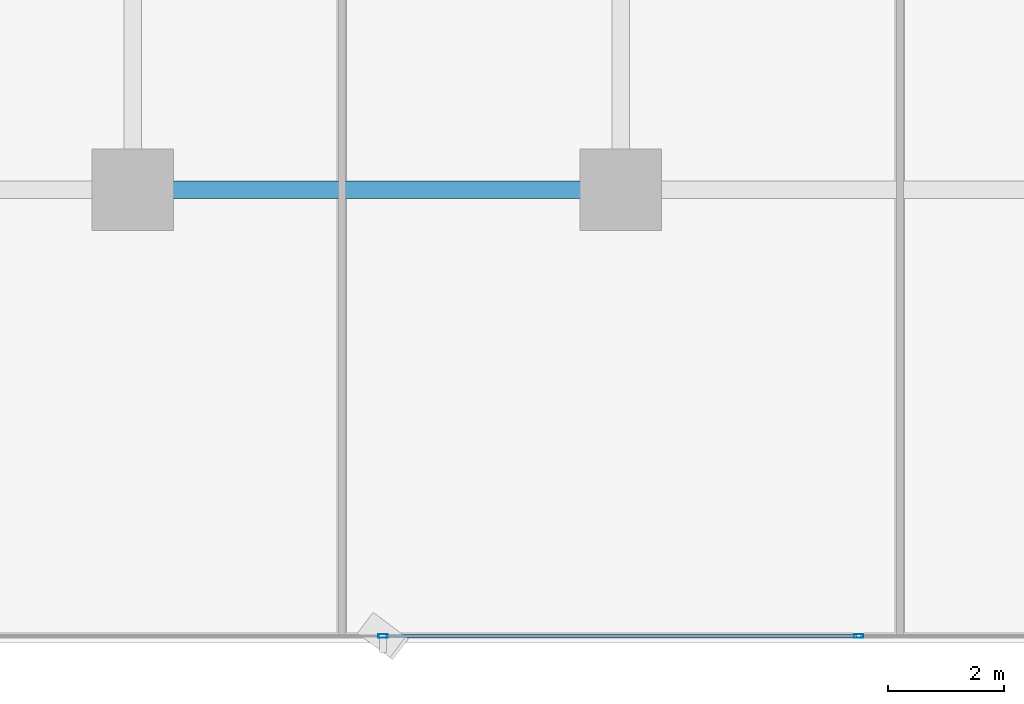
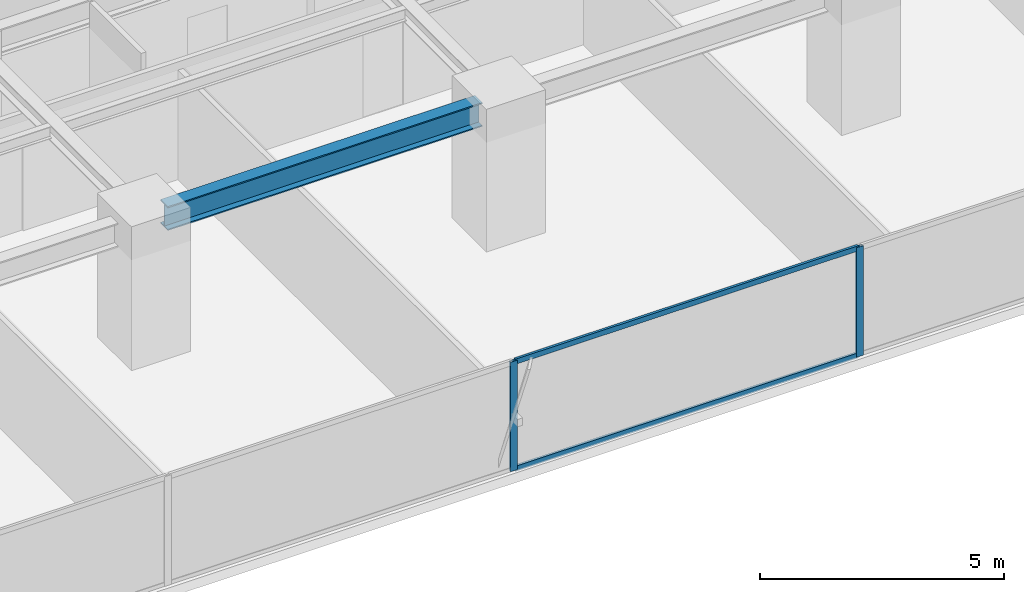
# One storey, part 6 of 37: 4 members, 1 beam, 1 element without a shape of its own.
"""IFC4 building model written with IfcOpenShell, lengths in metres."""

from ifc_helpers import new_model, si_unit, direction, frame, origin, origin_2d, place, context, subcontext, project, spatial, hollow_rectangle, i_section, extrude, source, transform, mapped, material, layer, layer_set, material_profile, profile_set, type_object, element, aggregate, save


model = new_model("IFC4")

# Units and contexts
model_context = context("Model", 3, precision=1e-05, world=origin(), true_north=direction((0.0, 1.0)))
body_context = subcontext(model_context, "Body", "Model", "MODEL_VIEW")
ifc_project = project(units=[si_unit("LENGTHUNIT", "METRE"), si_unit("AREAUNIT", "SQUARE_METRE"), si_unit("VOLUMEUNIT", "CUBIC_METRE"), si_unit("PLANEANGLEUNIT", "RADIAN"), si_unit("MASSUNIT", "GRAM", prefix="KILO")], contexts=[model_context])

# Site, building, storey
site_placement = place(None, origin())
site = spatial("IfcSite", under=ifc_project, at=site_placement, CompositionType="ELEMENT")
building_placement = place(site_placement, origin())
building = spatial("IfcBuilding", under=site, at=building_placement, Name="Sumidabori Civic Tower", CompositionType="ELEMENT")
storey_placement = place(building_placement, frame((0.0, 0.0, 81.199951171875)))
storey = spatial("IfcBuildingStorey", under=building, at=storey_placement, Name="L20", CompositionType="ELEMENT", Elevation=81.199951171875)

# Beam
ifc_material_1 = material(Name="Steel SN490", Category="steel")
ifc_material_profile_1 = material_profile(ifc_material_1, i_section(OverallWidth=0.300048828125, OverallDepth=0.60009765625, WebThickness=0.015380859375, FlangeThickness=0.030029296875, at=origin_2d()), Name="HE 600 B")
ifc_profile_set_1 = profile_set([ifc_material_profile_1], Name="Steel SN490")
beam_type = type_object("IfcBeamType", Name="BM-GIRD-600", PredefinedType="BEAM", material=ifc_profile_set_1)
shared_shape_1 = source(origin(), body_context, "Body", "SweptSolid", [
    extrude(i_section(OverallWidth=0.300048828125, OverallDepth=0.60009765625, WebThickness=0.015380859375, FlangeThickness=0.030029296875, at=origin_2d()), origin(), (0.0, 0.0, 1.0), 7.43994140625),
])
beam_placement = place(storey_placement, frame((-7.919921875, -18.0, 3.06005859375), z_axis=(1.0, 0.0, 0.0), x_axis=(0.0, 1.0, 0.0)))
element("IfcBeam", 1, at=beam_placement, inside=storey, type_object=beam_type, Name="Primary Girder L20 GX-03", PredefinedType="BEAM", context=body_context, shape_type="MappedRepresentation", body=[
    mapped(shared_shape_1, transform((0.0, 0.0, 0.0), x_axis=(1.0, 0.0, 0.0), y_axis=(0.0, 1.0, 0.0), z_axis=(0.0, 0.0, 1.0), scale=1.0)),
])

# Curtain wall, members
ifc_material_2 = material(Name="Anodised Bronze Aluminium AW-6063-T6", Category="aluminium")
ifc_layer = layer(ifc_material_2, 0.179931640625, Name="Anodised Bronze Aluminium AW-6063-T6")
ifc_layer_set = layer_set([ifc_layer], Name="Anodised Bronze Aluminium AW-6063-T6")
curtain_wall_type = type_object("IfcCurtainWallType", Name="CW-SYS-3", PredefinedType="NOTDEFINED", material=ifc_layer_set)
curtain_wall_placement = place(storey_placement, origin())
curtain_wall = element("IfcCurtainWall", 2, at=curtain_wall_placement, inside=storey, type_object=curtain_wall_type, Name="Curtain Wall CW:L20:R01", PredefinedType="NOTDEFINED")
ifc_material_profile_2 = material_profile(ifc_material_2, hollow_rectangle(XDim=0.06494140625, YDim=0.159912109375, WallThickness=0.0048828125, at=origin_2d()), Name="ALU MULLION 160x65")
ifc_profile_set_2 = profile_set([ifc_material_profile_2], Name="Anodised Bronze Aluminium AW-6063-T6")
member_type_1 = type_object("IfcMemberType", Name="CW-MUL-160", PredefinedType="MULLION", material=ifc_profile_set_2)
shared_shape_2 = source(origin(), body_context, "Body", "SweptSolid", [
    extrude(hollow_rectangle(XDim=0.06494140625, YDim=0.159912109375, WallThickness=0.0048828125, at=origin_2d()), origin(), (0.0, 0.0, 1.0), 2.739990234375),
])
member_1_placement = place(storey_placement, frame((-4.093994140625, -25.679931640625, 0.0), z_axis=(0.0, 0.0, 1.0), x_axis=(0.0, 1.0, 0.0)))
member_1 = element("IfcMember", 3, at=member_1_placement, type_object=member_type_1, Name="CW-3 mullion 3", PredefinedType="MULLION", context=body_context, shape_type="MappedRepresentation", body=[
    mapped(shared_shape_2, transform((0.0, 0.0, 0.0), x_axis=(1.0, 0.0, 0.0), y_axis=(0.0, 1.0, 0.0), z_axis=(0.0, 0.0, 1.0), scale=1.0)),
])
member_2_placement = place(storey_placement, frame((4.093994140625, -25.679931640625, 0.0), z_axis=(0.0, 0.0, 1.0), x_axis=(0.0, 1.0, 0.0)))
member_2 = element("IfcMember", 4, at=member_2_placement, type_object=member_type_1, Name="CW-3 mullion 4", PredefinedType="MULLION", context=body_context, shape_type="MappedRepresentation", body=[
    mapped(shared_shape_2, transform((0.0, 0.0, 0.0), x_axis=(1.0, 0.0, 0.0), y_axis=(0.0, 1.0, 0.0), z_axis=(0.0, 0.0, 1.0), scale=1.0)),
])
ifc_material_profile_3 = material_profile(ifc_material_2, hollow_rectangle(XDim=0.06005859375, YDim=0.1298828125, WallThickness=0.0048828125, at=origin_2d()), Name="ALU TRANSOM 130x60")
ifc_profile_set_3 = profile_set([ifc_material_profile_3], Name="Anodised Bronze Aluminium AW-6063-T6")
member_type_2 = type_object("IfcMemberType", Name="CW-TRN-130", PredefinedType="USERDEFINED", material=ifc_profile_set_3)
shared_shape_3 = source(origin(), body_context, "Body", "SweptSolid", [
    extrude(hollow_rectangle(XDim=0.06005859375, YDim=0.1298828125, WallThickness=0.0048828125, at=origin_2d()), origin(), (0.0, 0.0, 1.0), 8.123046875),
])
member_3_placement = place(storey_placement, frame((-4.0615234375, -25.679931640625, 0.030029296875), z_axis=(1.0, 0.0, 0.0), x_axis=(0.0, 1.0, 0.0)))
member_3 = element("IfcMember", 5, at=member_3_placement, type_object=member_type_2, Name="CW-3 transom 3.1", ObjectType="TRANSOM", PredefinedType="USERDEFINED", context=body_context, shape_type="MappedRepresentation", body=[
    mapped(shared_shape_3, transform((0.0, 0.0, 0.0), x_axis=(1.0, 0.0, 0.0), y_axis=(0.0, 1.0, 0.0), z_axis=(0.0, 0.0, 1.0), scale=1.0)),
])
member_4_placement = place(storey_placement, frame((-4.0615234375, -25.679931640625, 2.7099609375), z_axis=(1.0, 0.0, 0.0), x_axis=(0.0, 1.0, 0.0)))
member_4 = element("IfcMember", 6, at=member_4_placement, type_object=member_type_2, Name="CW-3 transom 3.2", ObjectType="TRANSOM", PredefinedType="USERDEFINED", context=body_context, shape_type="MappedRepresentation", body=[
    mapped(shared_shape_3, transform((0.0, 0.0, 0.0), x_axis=(1.0, 0.0, 0.0), y_axis=(0.0, 1.0, 0.0), z_axis=(0.0, 0.0, 1.0), scale=1.0)),
])
aggregate(curtain_wall, [member_1, member_2, member_3, member_4])

save(model, "model.ifc")
